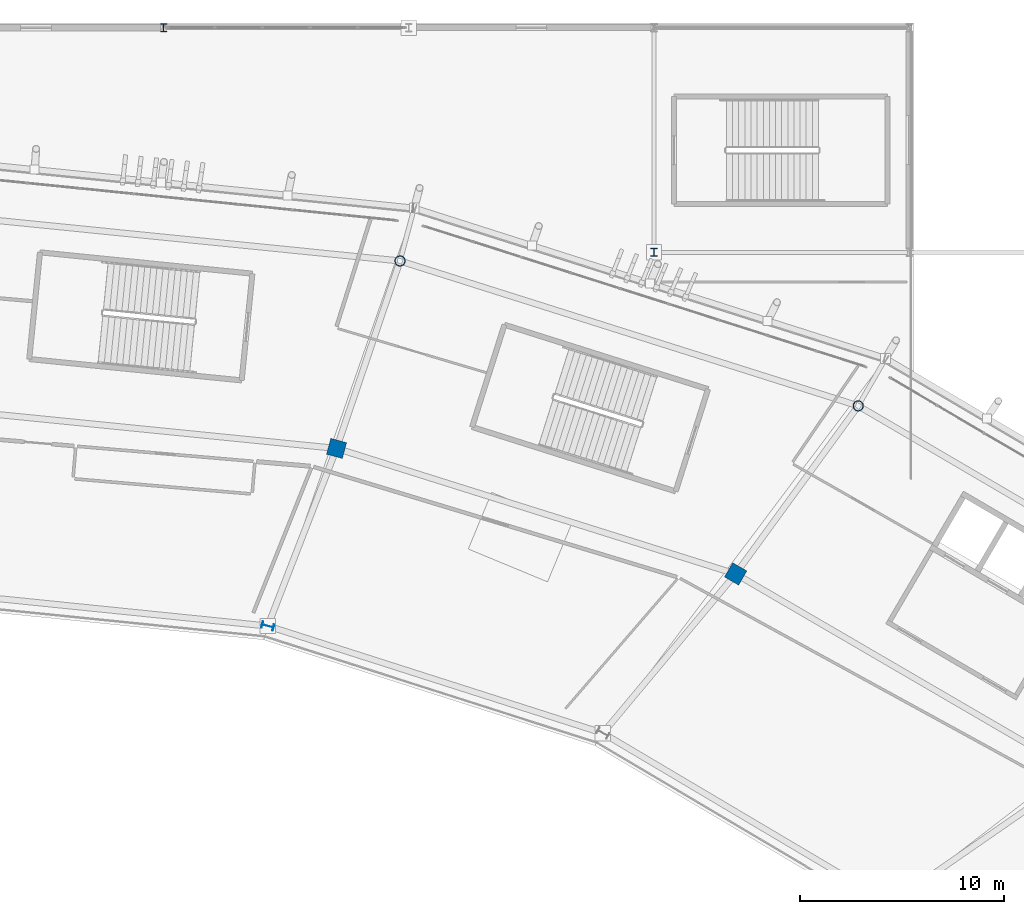
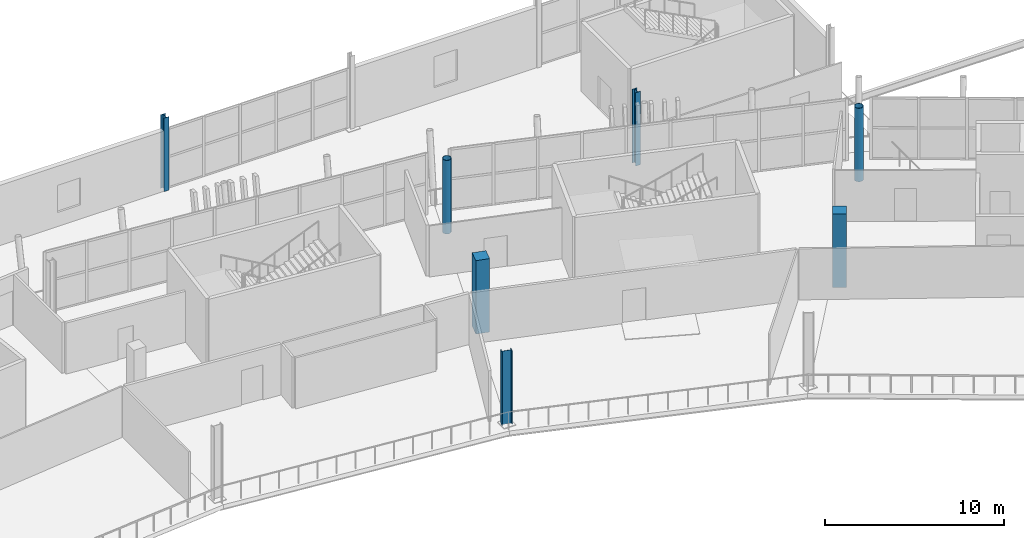
# One storey, part 20 of 179: 7 columns.
"""IFC4 building model written with IfcOpenShell, lengths in metres."""

from ifc_helpers import new_model, si_unit, direction, frame, origin, origin_2d, place, context, subcontext, project, spatial, rectangle, hollow_circle, i_section, extrude, material, material_profile, profile_set, type_object, element, save


model = new_model("IFC4")

# Units and contexts
model_context = context("Model", 3, precision=1e-05, world=origin(), true_north=direction((0.0, 1.0)))
body_context = subcontext(model_context, "Body", "Model", "MODEL_VIEW")
ifc_project = project(units=[si_unit("LENGTHUNIT", "METRE"), si_unit("AREAUNIT", "SQUARE_METRE"), si_unit("VOLUMEUNIT", "CUBIC_METRE"), si_unit("PLANEANGLEUNIT", "RADIAN"), si_unit("MASSUNIT", "GRAM", prefix="KILO")], contexts=[model_context])

# Site, building, storey
site_placement = place(None, origin())
site = spatial("IfcSite", under=ifc_project, at=site_placement, CompositionType="ELEMENT")
building_placement = place(site_placement, origin())
building = spatial("IfcBuilding", under=site, at=building_placement, Name="Zlatoyarsky Gate Stadium", CompositionType="ELEMENT")
storey_placement = place(building_placement, frame((0.0, 0.0, 10.60009765625)))
storey = spatial("IfcBuildingStorey", under=building, at=storey_placement, Name="L02", CompositionType="ELEMENT", Elevation=10.60009765625)

# Columns
ifc_material_1 = material(Name="Concrete C40/50", Category="concrete")
ifc_material_profile_1 = material_profile(ifc_material_1, rectangle(XDim=0.800048828125, YDim=0.800048828125, at=origin_2d()), Name="RC COL 800X800")
ifc_profile_set_1 = profile_set([ifc_material_profile_1], Name="Concrete C40/50")
column_type_1 = type_object("IfcColumnType", Name="CONCRETE COLUMN 800X800", PredefinedType="COLUMN", material=ifc_profile_set_1)
for number, where, z_axis, x_axis, name in (
    (1, (151.5, 133.260498046875, 0.0), (0.0, 0.0, 1.0), (0.5, 0.866025403784, 0.0), "Column RC-C80 RB-04 on L02"),
    (2, (131.96435546875, 139.404296875, 0.0), (0.0, 0.0, 1.0), (0.258819045103, 0.965925826289, 0.0), "Column RC-C80 RB-05 on L02"),
):
    element("IfcColumn", number, at=place(storey_placement, frame(where, z_axis=z_axis, x_axis=x_axis)), inside=storey, type_object=column_type_1, Name=name, PredefinedType="COLUMN", context=body_context, shape_type="SweptSolid", body=[
        extrude(rectangle(XDim=0.800048828125, YDim=0.800048828125, at=origin_2d()), origin(), (0.0, 0.0, 1.0), 5.0),
    ])
ifc_material_2 = material(Name="Steel S355", Category="steel")
ifc_material_profile_2 = material_profile(ifc_material_2, i_section(OverallWidth=0.300048828125, OverallDepth=0.39990234375, WebThickness=0.013427734375, FlangeThickness=0.02392578125, FilletRadius=0.027099609375, at=origin_2d()), Name="HEB 400")
ifc_profile_set_2 = profile_set([ifc_material_profile_2], Name="Steel S355")
column_type_2 = type_object("IfcColumnType", Name="STEEL COLUMN HEB 400", PredefinedType="COLUMN", material=ifc_profile_set_2)
for number, where, z_axis, x_axis, name in (
    (3, (123.5, 160.0, 0.0), (0.0, 0.0, 1.0), (1.0, 0.0, 0.0), "Column ST-C400 WG-11-Q on L02"),
    (4, (147.5, 149.0, 0.0), (0.0, 0.0, 1.0), (1.0, 0.0, 0.0), "Column ST-C400 WG-13-P on L02"),
):
    element("IfcColumn", number, at=place(storey_placement, frame(where, z_axis=z_axis, x_axis=x_axis)), inside=storey, type_object=column_type_2, Name=name, PredefinedType="COLUMN", context=body_context, shape_type="SweptSolid", body=[
        extrude(i_section(OverallWidth=0.300048828125, OverallDepth=0.39990234375, WebThickness=0.013427734375, FlangeThickness=0.02392578125, FilletRadius=0.027099609375, at=origin_2d()), origin(), (0.0, 0.0, 1.0), 5.0),
    ])
ifc_material_profile_3 = material_profile(ifc_material_2, i_section(OverallWidth=0.300048828125, OverallDepth=0.60009765625, WebThickness=0.015380859375, FlangeThickness=0.030029296875, FilletRadius=0.027099609375, at=origin_2d()), Name="HEB 600")
ifc_profile_set_3 = profile_set([ifc_material_profile_3], Name="Steel S355")
column_type_3 = type_object("IfcColumnType", Name="STEEL COLUMN HEB 600", PredefinedType="COLUMN", material=ifc_profile_set_3)
column_placement = place(storey_placement, frame((128.599609375, 130.711181640625, 0.0), z_axis=(0.0, 0.0, 1.0), x_axis=(0.258819045103, 0.965925826289, 0.0)))
element("IfcColumn", 5, at=column_placement, inside=storey, type_object=column_type_3, Name="Column ST-C600 RA-05 on L02", PredefinedType="COLUMN", context=body_context, shape_type="SweptSolid", body=[
    extrude(i_section(OverallWidth=0.300048828125, OverallDepth=0.60009765625, WebThickness=0.015380859375, FlangeThickness=0.030029296875, FilletRadius=0.027099609375, at=origin_2d()), origin(), (0.0, 0.0, 1.0), 5.0),
])
ifc_material_profile_4 = material_profile(ifc_material_2, hollow_circle(Radius=0.25390625, WallThickness=0.02490234375, at=origin_2d()), Name="CHS 508X25")
ifc_profile_set_4 = profile_set([ifc_material_profile_4], Name="Steel S355")
column_type_4 = type_object("IfcColumnType", Name="STEEL TUBULAR COLUMN CHS 508X25", PredefinedType="COLUMN", material=ifc_profile_set_4)
for number, where, z_axis, x_axis, name in (
    (6, (157.5, 141.48779296875, 0.0), (0.0, 0.0, 1.0), (0.5, 0.866025403784, 0.0), "Column ST-C508 RC-04 on L02"),
    (7, (135.0703125, 148.580810546875, 0.0), (0.0, 0.0, 1.0), (0.258819045103, 0.965925826289, 0.0), "Column ST-C508 RC-05 on L02"),
):
    element("IfcColumn", number, at=place(storey_placement, frame(where, z_axis=z_axis, x_axis=x_axis)), inside=storey, type_object=column_type_4, Name=name, PredefinedType="COLUMN", context=body_context, shape_type="SweptSolid", body=[
        extrude(hollow_circle(Radius=0.25390625, WallThickness=0.02490234375, at=origin_2d()), origin(), (0.0, 0.0, 1.0), 5.0),
    ])

save(model, "model.ifc")
